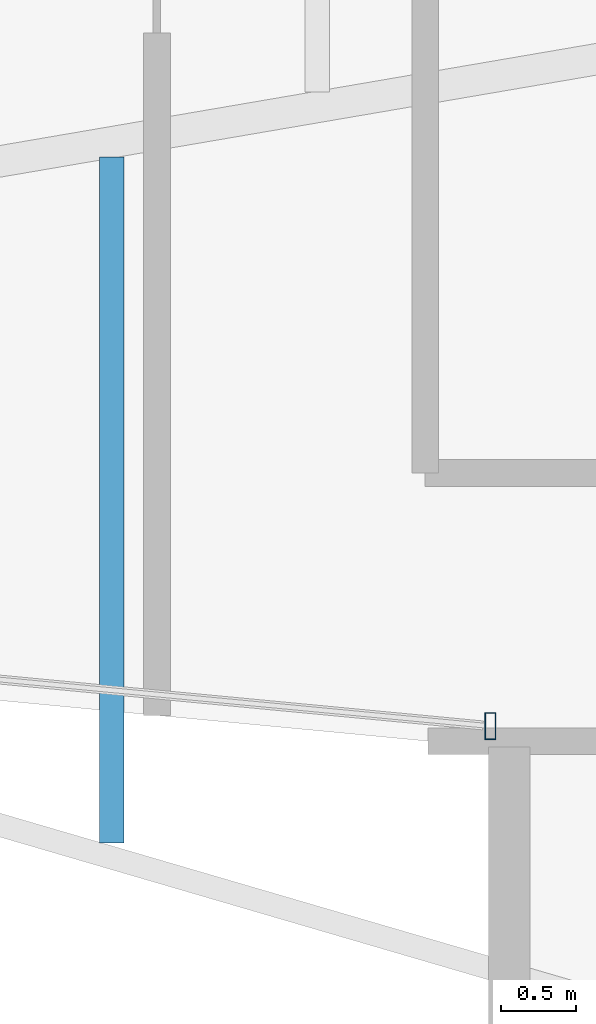
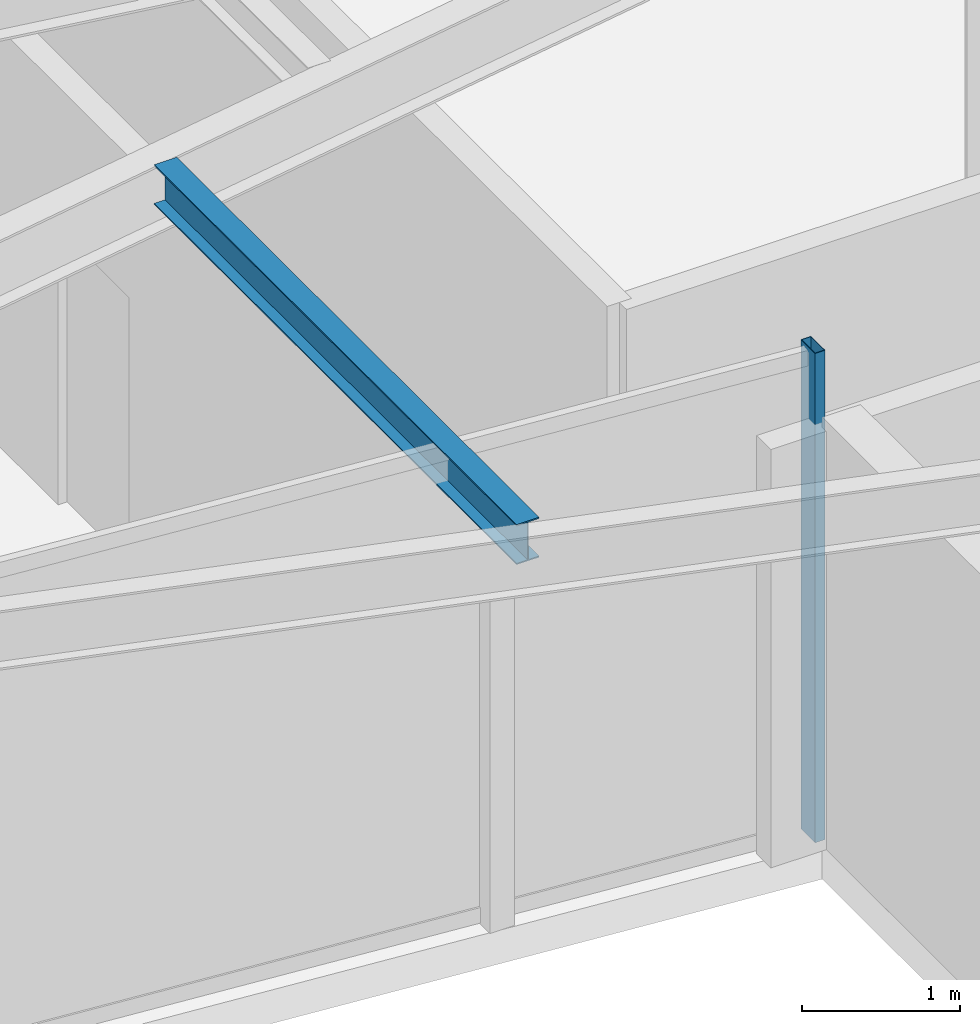
# One storey, part 4 of 21: 1 beam, 1 member, 1 element without a shape of its own.
"""IFC4 building model written with IfcOpenShell, lengths in metres."""

from ifc_helpers import new_model, si_unit, direction, frame, origin, origin_2d, place, context, subcontext, project, spatial, hollow_rectangle, i_section, extrude, material, layer, layer_set, material_profile, profile_set, type_object, element, aggregate, save


model = new_model("IFC4")

# Units and contexts
model_context = context("Model", 3, precision=1e-05, world=origin(), true_north=direction((0.0, 1.0)))
body_context = subcontext(model_context, "Body", "Model", "MODEL_VIEW")
ifc_project = project(units=[si_unit("LENGTHUNIT", "METRE"), si_unit("AREAUNIT", "SQUARE_METRE"), si_unit("VOLUMEUNIT", "CUBIC_METRE"), si_unit("PLANEANGLEUNIT", "RADIAN"), si_unit("MASSUNIT", "GRAM", prefix="KILO")], contexts=[model_context])

# Site, building, storey
site_placement = place(None, origin())
site = spatial("IfcSite", under=ifc_project, at=site_placement, CompositionType="ELEMENT")
building_placement = place(site_placement, origin())
building = spatial("IfcBuilding", under=site, at=building_placement, Name="Veymaron Broadcast Tower", CompositionType="ELEMENT")
storey_placement = place(building_placement, frame((0.0, 0.0, 228.300048828125)))
storey = spatial("IfcBuildingStorey", under=building, at=storey_placement, Name="L53", CompositionType="ELEMENT", Elevation=228.300048828125)

# Beam
ifc_material_1 = material(Name="Structural steel ASTM A992 Gr 50", Category="steel")
ifc_material_profile_1 = material_profile(ifc_material_1, i_section(OverallWidth=0.1650390625, OverallDepth=0.31005859375, WebThickness=0.005859375, FlangeThickness=0.009765625, at=origin_2d()), Name="W310X39")
ifc_profile_set_1 = profile_set([ifc_material_profile_1], Name="Structural steel ASTM A992 Gr 50")
beam_type = type_object("IfcBeamType", Name="BM-JS3", PredefinedType="JOIST", material=ifc_profile_set_1)
beam_placement = place(storey_placement, frame((24.29638671875, 18.117919921875, 3.635009765625), z_axis=(0.0, 1.0, 0.0), x_axis=(-1.0, 0.0, 0.0)))
element("IfcBeam", 1, at=beam_placement, inside=storey, type_object=beam_type, Name="L53 Arm-A secondary joist 2S", PredefinedType="JOIST", context=body_context, shape_type="SweptSolid", body=[
    extrude(i_section(OverallWidth=0.1650390625, OverallDepth=0.31005859375, WebThickness=0.005859375, FlangeThickness=0.009765625, at=origin_2d()), origin(), (0.0, 0.0, 1.0), 4.60009765625),
])

# Curtain wall, member
ifc_material_2 = material(Name="Anodised aluminium AA 6063-T6 and laminated low-E dark glass", Category="aluminium")
ifc_layer = layer(ifc_material_2, 0.179931640625)
ifc_layer_set = layer_set([ifc_layer], Name="Anodised aluminium AA 6063-T6 and laminated low-E dark glass")
curtain_wall_type = type_object("IfcCurtainWallType", Name="CW-SYS-05", PredefinedType="NOTDEFINED", material=ifc_layer_set)
curtain_wall_placement = place(storey_placement, origin())
curtain_wall = element("IfcCurtainWall", 2, at=curtain_wall_placement, inside=storey, type_object=curtain_wall_type, Name="L53 dark-glass curtain wall CW-L53-E14-1", PredefinedType="NOTDEFINED")
ifc_material_3 = material(Name="Anodised aluminium AA 6063-T6", Category="aluminium")
ifc_material_profile_2 = material_profile(ifc_material_3, hollow_rectangle(XDim=0.074951171875, YDim=0.179931640625, WallThickness=0.0048828125, at=origin_2d()), Name="AL180X75X5")
ifc_profile_set_2 = profile_set([ifc_material_profile_2], Name="Anodised aluminium AA 6063-T6")
member_type = type_object("IfcMemberType", Name="CW-MUL-02", PredefinedType="MULLION", material=ifc_profile_set_2)
member_placement = place(storey_placement, frame((26.837158203125, 18.90087890625, 0.0), z_axis=(0.0, 0.0, 1.0), x_axis=(1.0, 0.0, 0.0)))
member = element("IfcMember", 3, at=member_placement, type_object=member_type, Name="CW-L53-E14-1 mullion 2", PredefinedType="MULLION", context=body_context, shape_type="SweptSolid", body=[
    extrude(hollow_rectangle(XDim=0.074951171875, YDim=0.179931640625, WallThickness=0.0048828125, at=origin_2d()), origin(), (0.0, 0.0, 1.0), 3.7900390625),
])
aggregate(curtain_wall, [member])

save(model, "model.ifc")
